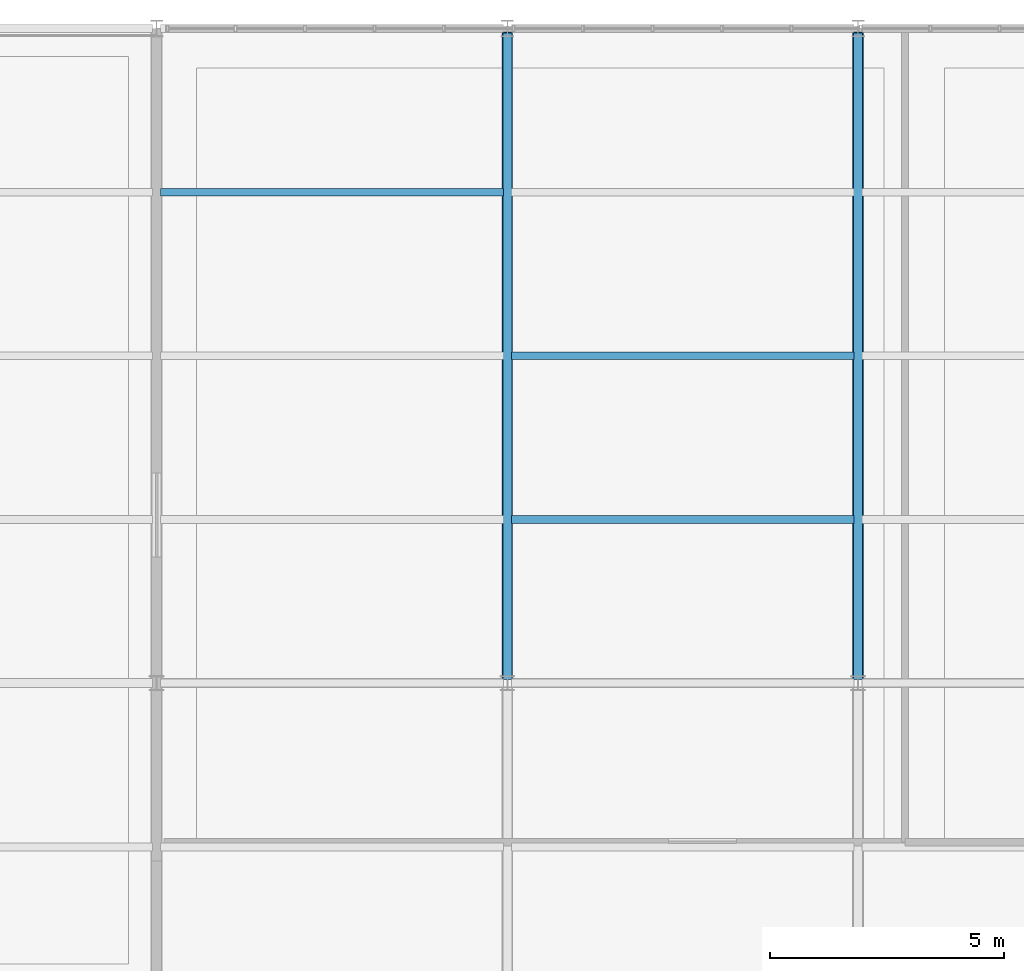
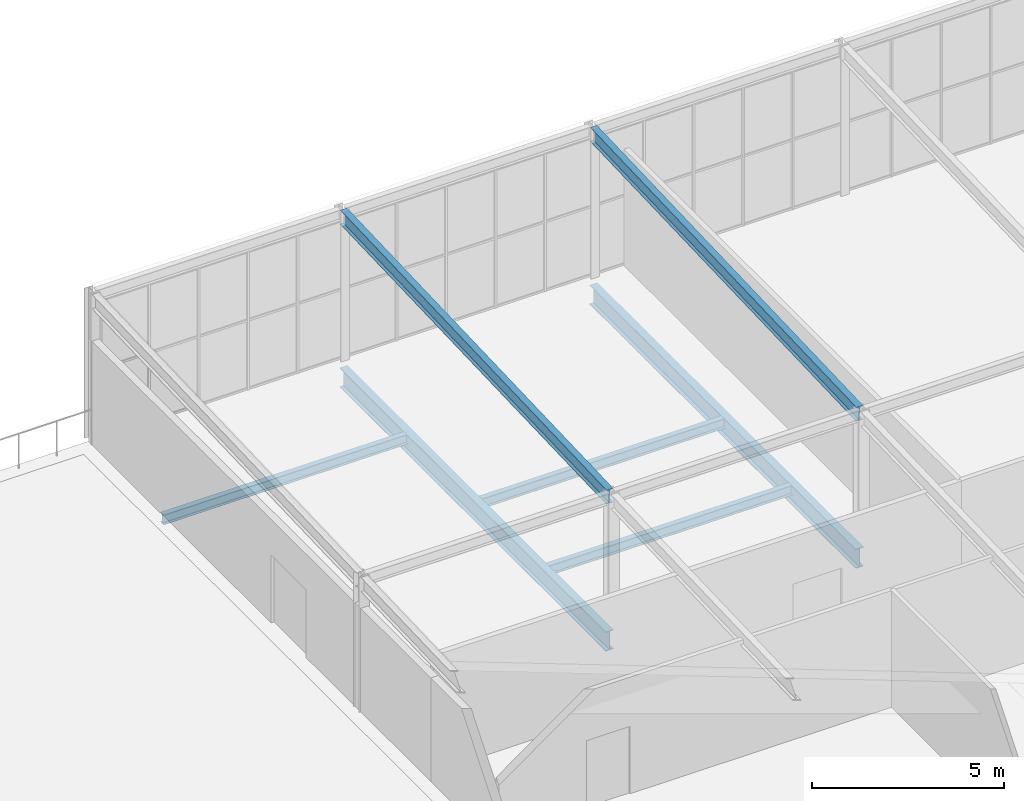
# One storey, part 10 of 27: 7 beams.
"""IFC4 building model written with IfcOpenShell, lengths in metres."""

from ifc_helpers import new_model, si_unit, direction, frame, origin, origin_2d, place, context, subcontext, project, spatial, i_section, extrude, material, material_profile, profile_set, type_object, element, save


model = new_model("IFC4")

# Units and contexts
model_context = context("Model", 3, precision=1e-05, world=origin(), true_north=direction((0.0, 1.0)))
body_context = subcontext(model_context, "Body", "Model", "MODEL_VIEW")
ifc_project = project(units=[si_unit("LENGTHUNIT", "METRE"), si_unit("AREAUNIT", "SQUARE_METRE"), si_unit("VOLUMEUNIT", "CUBIC_METRE"), si_unit("PLANEANGLEUNIT", "RADIAN"), si_unit("MASSUNIT", "GRAM", prefix="KILO")], contexts=[model_context])

# Site, building, storey
site_placement = place(None, origin())
site = spatial("IfcSite", under=ifc_project, at=site_placement, CompositionType="ELEMENT")
building_placement = place(site_placement, origin())
building = spatial("IfcBuilding", under=site, at=building_placement, Name="Solvenia Promenade Tram Depot", CompositionType="ELEMENT")
storey_placement = place(building_placement, frame((0.0, 0.0, 13.5)))
storey = spatial("IfcBuildingStorey", under=building, at=storey_placement, Name="L03", CompositionType="ELEMENT", Elevation=13.5)

# Beams
ifc_material = material(Name="Structural steel ASTM A992 Gr. 50", Category="steel")
ifc_material_profile_1 = material_profile(ifc_material, i_section(OverallWidth=0.19091796875, OverallDepth=0.4599609375, WebThickness=0.010009765625, FlangeThickness=0.01611328125, FilletRadius=0.012939453125, at=origin_2d()), Name="W460x82", Category="steel")
ifc_profile_set_1 = profile_set([ifc_material_profile_1], Name="Structural steel ASTM A992 Gr. 50")
beam_type_1 = type_object("IfcBeamType", Name="Beam-W460x82", PredefinedType="BEAM", material=ifc_profile_set_1)
for number, where, z_axis, x_axis, name in (
    (1, (127.5, 52.0849609375, 4.030029296875), (0.0, 0.999347117137, 0.036129481992), (-1.0, 0.0, 0.0), "Control Hub Sloped Rafter BM-L03-0882"),
    (2, (135.0, 52.0849609375, 4.030029296875), (0.0, 0.999347117137, 0.036129481992), (-1.0, 0.0, 0.0), "Control Hub Sloped Rafter BM-L03-0884"),
):
    element("IfcBeam", number, at=place(storey_placement, frame(where, z_axis=z_axis, x_axis=x_axis)), inside=storey, type_object=beam_type_1, Name=name, PredefinedType="BEAM", context=body_context, shape_type="SweptSolid", body=[
        extrude(i_section(OverallWidth=0.19091796875, OverallDepth=0.4599609375, WebThickness=0.010009765625, FlangeThickness=0.01611328125, FilletRadius=0.012939453125, at=origin_2d()), origin(), (0.0, 0.0, 1.0), 13.839111328125),
    ])
ifc_material_profile_2 = material_profile(ifc_material, i_section(OverallWidth=0.22900390625, OverallDepth=0.612060546875, WebThickness=0.011962890625, FlangeThickness=0.01953125, FilletRadius=0.014892578125, at=origin_2d()), Name="W610x125", Category="steel")
ifc_profile_set_2 = profile_set([ifc_material_profile_2], Name="Structural steel ASTM A992 Gr. 50")
beam_type_2 = type_object("IfcBeamType", Name="Gird-W610x125", PredefinedType="BEAM", material=ifc_profile_set_2)
for number, where, z_axis, x_axis, name in (
    (3, (127.5, 52.0849609375, -0.5458984375), (0.0, 1.0, 0.0), (-1.0, 0.0, 0.0), "Transverse Girder BM-L03-0613"),
    (4, (135.0, 52.0849609375, -0.5458984375), (0.0, 1.0, 0.0), (-1.0, 0.0, 0.0), "Transverse Girder BM-L03-0615"),
):
    element("IfcBeam", number, at=place(storey_placement, frame(where, z_axis=z_axis, x_axis=x_axis)), inside=storey, type_object=beam_type_2, Name=name, PredefinedType="BEAM", context=body_context, shape_type="SweptSolid", body=[
        extrude(i_section(OverallWidth=0.22900390625, OverallDepth=0.612060546875, WebThickness=0.011962890625, FlangeThickness=0.01953125, FilletRadius=0.014892578125, at=origin_2d()), origin(), (0.0, 0.0, 1.0), 13.830078125),
    ])
ifc_material_profile_3 = material_profile(ifc_material, i_section(OverallWidth=0.166015625, OverallDepth=0.31298828125, WebThickness=0.006591796875, FlangeThickness=0.01123046875, FilletRadius=0.010009765625, at=origin_2d()), Name="W310x45", Category="steel")
ifc_profile_set_3 = profile_set([ifc_material_profile_3], Name="Structural steel ASTM A992 Gr. 50")
beam_type_3 = type_object("IfcBeamType", Name="Joist-W310x45", PredefinedType="JOIST", material=ifc_profile_set_3)
for number, where, z_axis, x_axis, name in (
    (5, (120.0849609375, 62.5, -0.396484375), (1.0, 0.0, 0.0), (0.0, 1.0, 0.0), "Secondary Floor Joist BM-L03-0627"),
    (6, (127.5849609375, 55.5, -0.396484375), (1.0, 0.0, 0.0), (0.0, 1.0, 0.0), "Secondary Floor Joist BM-L03-0631"),
    (7, (127.5849609375, 59.0, -0.396484375), (1.0, 0.0, 0.0), (0.0, 1.0, 0.0), "Secondary Floor Joist BM-L03-0632"),
):
    element("IfcBeam", number, at=place(storey_placement, frame(where, z_axis=z_axis, x_axis=x_axis)), inside=storey, type_object=beam_type_3, Name=name, PredefinedType="JOIST", context=body_context, shape_type="SweptSolid", body=[
        extrude(i_section(OverallWidth=0.166015625, OverallDepth=0.31298828125, WebThickness=0.006591796875, FlangeThickness=0.01123046875, FilletRadius=0.010009765625, at=origin_2d()), origin(), (0.0, 0.0, 1.0), 7.330078125),
    ])

save(model, "model.ifc")
